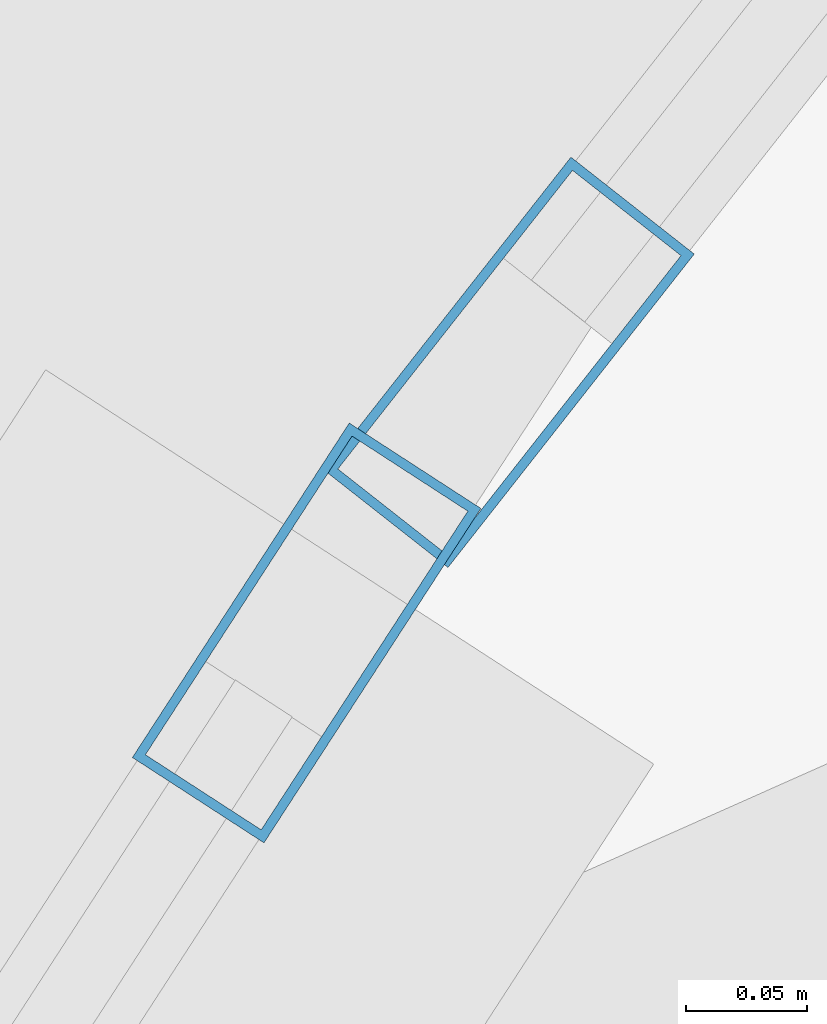
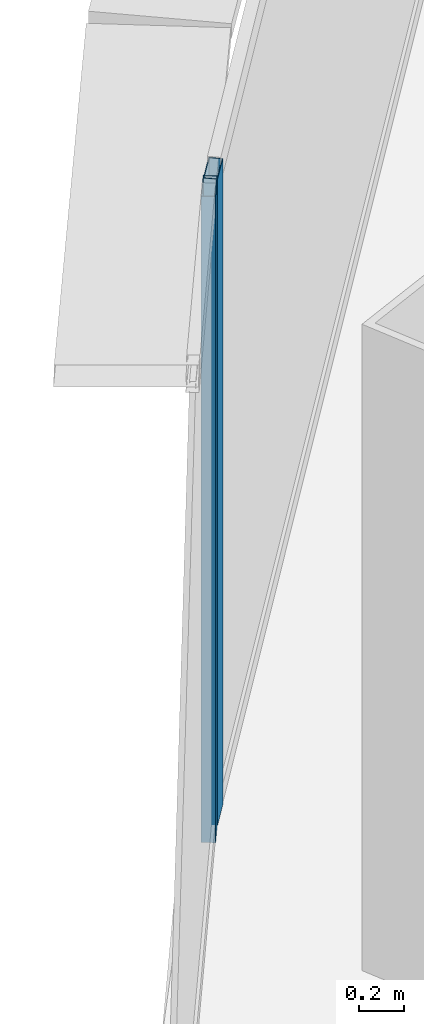
# One storey, part 16 of 36: 2 members, 2 elements without a shape of their own.
"""IFC4 building model written with IfcOpenShell, lengths in metres."""

from ifc_helpers import new_model, si_unit, direction, frame, origin, origin_2d, place, context, subcontext, project, spatial, hollow_rectangle, extrude, source, transform, mapped, material, layer, layer_set, material_profile, profile_set, type_object, element, aggregate, save


model = new_model("IFC4")

# Units and contexts
model_context = context("Model", 3, precision=1e-05, world=origin(), true_north=direction((0.0, 1.0)))
body_context = subcontext(model_context, "Body", "Model", "MODEL_VIEW")
ifc_project = project(units=[si_unit("LENGTHUNIT", "METRE"), si_unit("AREAUNIT", "SQUARE_METRE"), si_unit("VOLUMEUNIT", "CUBIC_METRE"), si_unit("PLANEANGLEUNIT", "RADIAN"), si_unit("MASSUNIT", "GRAM", prefix="KILO"), si_unit("THERMODYNAMICTEMPERATUREUNIT", "KELVIN"), si_unit("POWERUNIT", "WATT")], contexts=[model_context])

# Site, building, storey
site_placement = place(None, origin())
site = spatial("IfcSite", under=ifc_project, at=site_placement, CompositionType="ELEMENT")
building_placement = place(site_placement, origin())
building = spatial("IfcBuilding", under=site, at=building_placement, Name="Yunzhuo Pagoda Commons", CompositionType="ELEMENT")
storey_placement = place(building_placement, frame((0.0, 0.0, 103.97998046875)))
storey = spatial("IfcBuildingStorey", under=building, at=storey_placement, Name="L26", CompositionType="ELEMENT", Elevation=103.97998046875)

# Curtain wall, member
ifc_material = material(Name="Anodized aluminium 6063-T6", Category="aluminium")
ifc_layer = layer(ifc_material, 0.1650390625)
ifc_layer_set = layer_set([ifc_layer], Name="Anodized aluminium 6063-T6")
curtain_wall_type = type_object("IfcCurtainWallType", Name="CW-LOW Low-Zone Ribbon Curtain Wall", PredefinedType="NOTDEFINED", material=ifc_layer_set)
curtain_wall_1_placement = place(storey_placement, origin())
curtain_wall_1 = element("IfcCurtainWall", 1, at=curtain_wall_1_placement, inside=storey, type_object=curtain_wall_type, Name="L26 curtain wall CW-L26-F3B2", PredefinedType="NOTDEFINED")
ifc_material_profile = material_profile(ifc_material, hollow_rectangle(XDim=0.06494140625, YDim=0.1650390625, WallThickness=0.00390625, at=origin_2d()), Name="Anodized aluminium 6063-T6")
ifc_profile_set = profile_set([ifc_material_profile], Name="Anodized aluminium 6063-T6")
member_type = type_object("IfcMemberType", Name="CW-LOW-M Mullion RHS 165x65x4", PredefinedType="MULLION", material=ifc_profile_set)
shared_shape = source(origin(), body_context, "Body", "SweptSolid", [
    extrude(hollow_rectangle(XDim=0.06494140625, YDim=0.1650390625, WallThickness=0.00390625, at=origin_2d()), origin(), (0.0, 0.0, 1.0), 3.5400390625),
])
member_1_placement = place(storey_placement, frame((31.34619140625, 71.038330078125, 0.000244140625), z_axis=(0.0, 0.0, 1.0), x_axis=(0.839039875799, -0.544069928244, 0.0)))
member_1 = element("IfcMember", 2, at=member_1_placement, type_object=member_type, Name="CW mullion 1", PredefinedType="MULLION", context=body_context, shape_type="MappedRepresentation", body=[
    mapped(shared_shape, transform((0.0, 0.0, 0.0), scale=1.0)),
])
aggregate(curtain_wall_1, [member_1])

curtain_wall_2_placement = place(storey_placement, origin())
curtain_wall_2 = element("IfcCurtainWall", 3, at=curtain_wall_2_placement, inside=storey, type_object=curtain_wall_type, Name="L26 curtain wall CW-L26-F3B1", PredefinedType="NOTDEFINED")
member_2_placement = place(storey_placement, frame((31.43017578125, 71.150390625, 0.000244140625), z_axis=(0.0, 0.0, 1.0), x_axis=(0.786301112862, -0.617843475253, 0.0)))
member_2 = element("IfcMember", 4, at=member_2_placement, type_object=member_type, Name="CW mullion 2", PredefinedType="MULLION", context=body_context, shape_type="MappedRepresentation", body=[
    mapped(shared_shape, transform((0.0, 0.0, 0.0), scale=1.0)),
])
aggregate(curtain_wall_2, [member_2])

save(model, "model.ifc")
